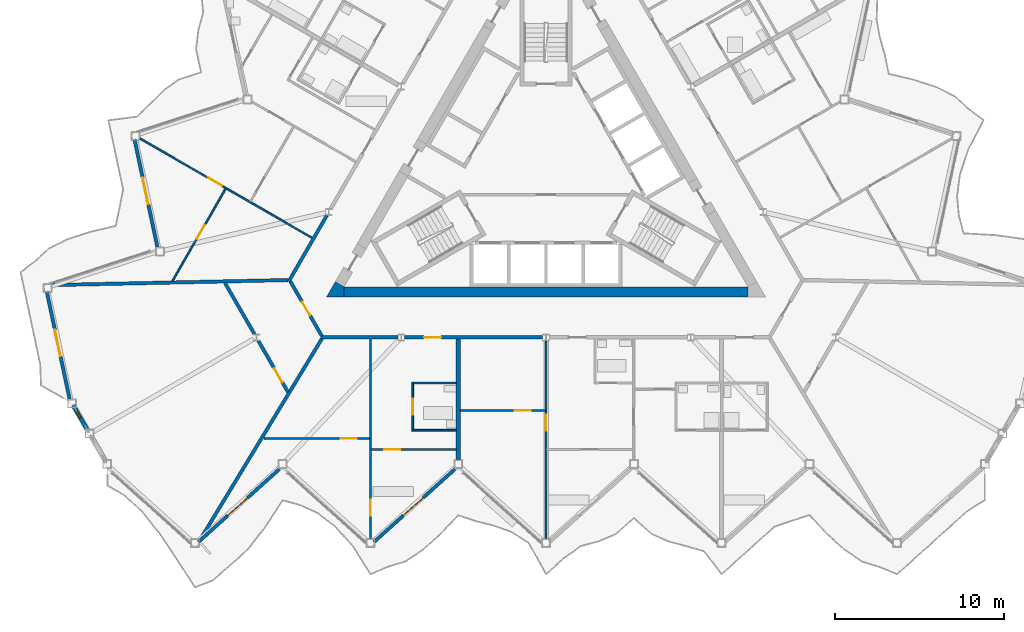
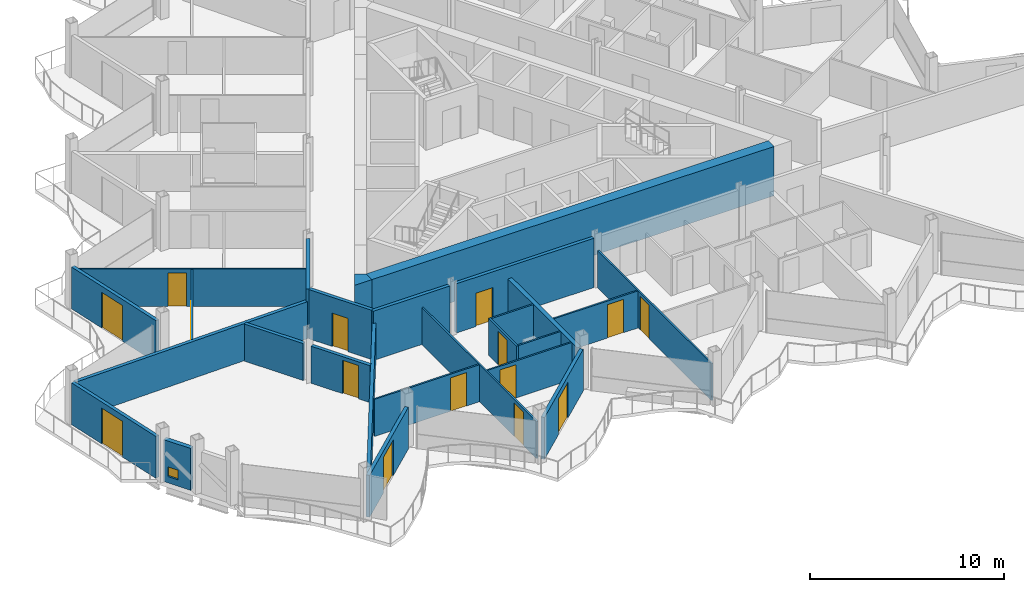
# One storey, part 12 of 25: 26 walls, 15 doors, 1 window, 16 openings.
"""IFC4 building model written with IfcOpenShell, lengths in metres."""

from ifc_helpers import new_model, si_unit, direction, frame, frame_2d, origin, place, context, subcontext, project, spatial, polyline, rectangle, outline, extrude, material, layer, layer_set, type_object, element, fill, save


model = new_model("IFC4")

# Units and contexts
model_context = context("Model", 3, precision=1e-05, world=origin(), true_north=direction((0.0, 1.0)))
body_context = subcontext(model_context, "Body", "Model", "MODEL_VIEW")
ifc_project = project(units=[si_unit("LENGTHUNIT", "METRE"), si_unit("AREAUNIT", "SQUARE_METRE"), si_unit("VOLUMEUNIT", "CUBIC_METRE"), si_unit("PLANEANGLEUNIT", "RADIAN"), si_unit("MASSUNIT", "GRAM", prefix="KILO")], contexts=[model_context])

# Site, building, storey
site_placement = place(None, origin())
site = spatial("IfcSite", under=ifc_project, at=site_placement, CompositionType="ELEMENT")
building_placement = place(site_placement, origin())
building = spatial("IfcBuilding", under=site, at=building_placement, Name="Cormorant Prow Tower", CompositionType="ELEMENT")
storey_placement = place(building_placement, frame((0.0, 0.0, 391.60009765625)))
storey = spatial("IfcBuildingStorey", under=building, at=storey_placement, Name="L89", CompositionType="ELEMENT", Elevation=391.60009765625)

# Walls
ifc_material_1 = material(Name="Concrete 8000 psi", Category="concrete")
ifc_layer_1 = layer(ifc_material_1, 0.60009765625)
ifc_layer_set_1 = layer_set([ifc_layer_1], Name="Concrete 8000 psi")
wall_type_1 = type_object("IfcWallType", Name="Core shear wall 600", PredefinedType="SHEAR", material=ifc_layer_set_1)
wall_1_placement = place(storey_placement, frame((-11.960693359375, -7.20556640625, 0.0), z_axis=(0.0, 0.0, 1.0), x_axis=(1.0, 0.0, 0.0)))
element("IfcWall", 1, at=wall_1_placement, inside=storey, type_object=wall_type_1, Name="Core wall", PredefinedType="SHEAR", context=body_context, shape_type="SweptSolid", body=[
    extrude(rectangle(XDim=23.92138671875, YDim=0.60009765625, at=frame_2d((11.960693359375, 0.0))), origin(), (0.0, 0.0, 1.0), 3.099853515625),
])
wall_2_placement = place(storey_placement, origin())
element("IfcWall", 2, at=wall_2_placement, inside=storey, type_object=wall_type_1, Name="Core wall corner", PredefinedType="SHEAR", context=body_context, shape_type="SweptSolid", body=[
    extrude(outline(polyline([(-12.48046875, -6.605712890625), (-11.960693359375, -6.905517578125), (-11.960693359375, -7.505615234375), (-13.0, -7.505615234375), (-12.48046875, -6.605712890625)])), origin(), (0.0, 0.0, 1.0), 3.099853515625),
])

# Wall, opening, door
ifc_material_2 = material(Name="Gypsum board corridor wall")
ifc_layer_2 = layer(ifc_material_2, 0.199951171875)
ifc_layer_set_2 = layer_set([ifc_layer_2], Name="Gypsum board corridor wall")
wall_type_2 = type_object("IfcWallType", Name="Corridor wall 200", PredefinedType="PARTITIONING", material=ifc_layer_set_2)
wall_3_placement = place(storey_placement, frame((-8.381591796875, -9.905517578125, 0.0), z_axis=(0.0, 0.0, 1.0), x_axis=(1.0, 0.0, 0.0)))
wall_3 = element("IfcWall", 3, at=wall_3_placement, inside=storey, type_object=wall_type_2, Name="Corridor wall", PredefinedType="PARTITIONING", context=body_context, shape_type="SweptSolid", body=[
    extrude(rectangle(XDim=8.1845703125, YDim=0.199951171875, at=frame_2d((4.09228515625, 0.0))), origin(), (0.0, 0.0, 1.0), 3.099853515625),
])
opening_1_placement = place(wall_3_placement, frame((1.16162109375, 0.0, 0.0)))
opening_1 = element("IfcOpeningElement", 4, at=opening_1_placement, cuts=wall_3, Name="Opening L89-F01", PredefinedType="OPENING", context=body_context, shape_type="SweptSolid", body=[
    extrude(rectangle(XDim=1.0, YDim=2.10009765625, at=frame_2d((0.5, 1.050048828125))), frame((0.0, 0.10986328125, 0.0), z_axis=(0.0, -1.0, 0.0), x_axis=(1.0, 0.0, 0.0)), (0.0, 0.0, 1.0), 0.219970703125),
])
ifc_material_3 = material(Name="Timber door leaf", Category="wood")
door_type_1 = type_object("IfcDoorType", Name="Flat or room entrance door 1000x2100", OperationType="NOTDEFINED", PredefinedType="DOOR", material=ifc_material_3)
door_1_placement = place(opening_1_placement, origin())
door_1 = element("IfcDoor", 5, at=door_1_placement, inside=storey, type_object=door_type_1, Name="Living room door", OperationType="SINGLE_SWING_RIGHT", OverallHeight=2.10009765625, OverallWidth=1.0, PredefinedType="DOOR", context=body_context, shape_type="SweptSolid", body=[
    extrude(rectangle(XDim=1.0, YDim=2.10009765625, at=frame_2d((0.5, 1.050048828125))), frame((0.0, 0.02490234375, 0.0), z_axis=(0.0, -1.0, 0.0), x_axis=(1.0, 0.0, 0.0)), (0.0, 0.0, 1.0), 0.050048828125),
])
fill(opening_1, door_1)

# Walls
wall_4_placement = place(storey_placement, frame((-13.330810546875, -9.905517578125, 0.0), z_axis=(0.0, 0.0, 1.0), x_axis=(1.0, 0.0, 0.0)))
element("IfcWall", 6, at=wall_4_placement, inside=storey, type_object=wall_type_2, Name="Corridor wall", PredefinedType="PARTITIONING", context=body_context, shape_type="SweptSolid", body=[
    extrude(rectangle(XDim=4.555419921875, YDim=0.199951171875, at=frame_2d((2.27783203125, 0.0))), origin(), (0.0, 0.0, 1.0), 3.099853515625),
])
wall_5_placement = place(storey_placement, frame((-15.243896484375, -6.59228515625, 0.0), z_axis=(0.0, 0.0, 1.0), x_axis=(0.499974648164, 0.866040040179, 0.0)))
element("IfcWall", 7, at=wall_5_placement, inside=storey, type_object=wall_type_2, Name="Corridor wall", PredefinedType="PARTITIONING", context=body_context, shape_type="SweptSolid", body=[
    extrude(rectangle(XDim=4.525146484375, YDim=0.199951171875, at=frame_2d((2.2626953125, 0.0))), origin(), (0.0, 0.0, 1.0), 3.099853515625),
])

# Wall, opening, door
wall_6_placement = place(storey_placement, frame((-15.143798828125, -6.59228515625, 0.0), z_axis=(0.0, 0.0, 1.0), x_axis=(0.499958791762, -0.866049194065, 0.0)))
wall_6 = element("IfcWall", 8, at=wall_6_placement, inside=storey, type_object=wall_type_2, Name="Corridor wall", PredefinedType="PARTITIONING", context=body_context, shape_type="SweptSolid", body=[
    extrude(rectangle(XDim=3.725830078125, YDim=0.199951171875, at=frame_2d((1.86279296875, 0.0))), origin(), (0.0, 0.0, 1.0), 3.099853515625),
])
opening_2_placement = place(wall_6_placement, frame((1.387939453125, 0.0, 0.0)))
opening_2 = element("IfcOpeningElement", 9, at=opening_2_placement, cuts=wall_6, Name="Opening L89-F50", PredefinedType="OPENING", context=body_context, shape_type="SweptSolid", body=[
    extrude(rectangle(XDim=0.949951171875, YDim=2.10009765625, at=frame_2d((0.47509765625, 1.050048828125))), frame((0.0, 0.10986328125, 0.0), z_axis=(0.0, -1.0, 0.0), x_axis=(1.0, 0.0, 0.0)), (0.0, 0.0, 1.0), 0.219970703125),
])
ifc_material_4 = material(Name="Timber door leaf", Category="wood")
door_type_2 = type_object("IfcDoorType", Name="Store door 950x2100", OperationType="NOTDEFINED", PredefinedType="DOOR", material=ifc_material_4)
door_2_placement = place(opening_2_placement, origin())
door_2 = element("IfcDoor", 10, at=door_2_placement, inside=storey, type_object=door_type_2, Name="Refuse room door", OperationType="SINGLE_SWING_LEFT", OverallHeight=2.10009765625, OverallWidth=0.949951171875, PredefinedType="DOOR", context=body_context, shape_type="SweptSolid", body=[
    extrude(rectangle(XDim=0.949951171875, YDim=2.10009765625, at=frame_2d((0.47509765625, 1.050048828125))), frame((0.0, 0.02490234375, 0.0), z_axis=(0.0, -1.0, 0.0), x_axis=(1.0, 0.0, 0.0)), (0.0, 0.0, 1.0), 0.050048828125),
])
fill(opening_2, door_2)

# Walls
ifc_material_5 = material(Name="Gypsum board demising wall")
ifc_layer_3 = layer(ifc_material_5, 0.199951171875)
ifc_layer_set_3 = layer_set([ifc_layer_3], Name="Gypsum board demising wall")
wall_type_3 = type_object("IfcWallType", Name="Demising wall 200", PredefinedType="PARTITIONING", material=ifc_layer_set_3)
wall_7_placement = place(storey_placement, frame((-20.353515625, -21.659912109375, 0.0), z_axis=(0.0, 0.0, 1.0), x_axis=(0.518240642668, 0.85523484277, 0.0)))
element("IfcWall", 11, at=wall_7_placement, inside=storey, type_object=wall_type_3, Name="Demising wall", PredefinedType="PARTITIONING", context=body_context, shape_type="SweptSolid", body=[
    extrude(rectangle(XDim=13.643798828125, YDim=0.199951171875, at=frame_2d((6.82177734375, 0.0))), origin(), (0.0, 0.0, 1.0), 2.330078125),
])
wall_8_placement = place(storey_placement, frame((-29.2685546875, -6.8037109375, 0.0), z_axis=(0.0, 0.0, 1.0), x_axis=(0.999775536303, 0.021186717777, 0.0)))
element("IfcWall", 12, at=wall_8_placement, inside=storey, type_object=wall_type_3, Name="Demising wall", PredefinedType="PARTITIONING", context=body_context, shape_type="SweptSolid", body=[
    extrude(rectangle(XDim=13.977783203125, YDim=0.199951171875, at=frame_2d((6.98876953125, 0.0))), origin(), (0.0, 0.0, 1.0), 2.330078125),
])

# Wall, opening, door
wall_9_placement = place(storey_placement, frame((-17.043212890625, -10.1025390625, 0.0), z_axis=(0.0, 0.0, 1.0), x_axis=(0.500005931509, -0.866021979199, 0.0)))
wall_9 = element("IfcWall", 13, at=wall_9_placement, inside=storey, type_object=wall_type_3, Name="Demising wall", PredefinedType="PARTITIONING", context=body_context, shape_type="SweptSolid", body=[
    extrude(rectangle(XDim=3.50390625, YDim=0.199951171875, at=frame_2d((1.751953125, 0.0))), origin(), (0.0, 0.0, 1.0), 2.330078125),
])
opening_3_placement = place(wall_9_placement, frame((1.89306640625, 0.0, 0.0)))
opening_3 = element("IfcOpeningElement", 14, at=opening_3_placement, cuts=wall_9, Name="Opening L89-F51", PredefinedType="OPENING", context=body_context, shape_type="SweptSolid", body=[
    extrude(rectangle(XDim=0.949951171875, YDim=2.10009765625, at=frame_2d((0.47509765625, 1.050048828125))), frame((0.0, 0.10986328125, 0.0), z_axis=(0.0, -1.0, 0.0), x_axis=(1.0, 0.0, 0.0)), (0.0, 0.0, 1.0), 0.219970703125),
])
door_3_placement = place(opening_3_placement, origin())
door_3 = element("IfcDoor", 15, at=door_3_placement, inside=storey, type_object=door_type_2, Name="Bicycle store door", OperationType="SINGLE_SWING_RIGHT", OverallHeight=2.10009765625, OverallWidth=0.949951171875, PredefinedType="DOOR", context=body_context, shape_type="SweptSolid", body=[
    extrude(rectangle(XDim=0.949951171875, YDim=2.10009765625, at=frame_2d((0.47509765625, 1.050048828125))), frame((0.0, 0.02490234375, 0.0), z_axis=(0.0, -1.0, 0.0), x_axis=(1.0, 0.0, 0.0)), (0.0, 0.0, 1.0), 0.050048828125),
])
fill(opening_3, door_3)

# Wall
wall_10_placement = place(storey_placement, frame((-19.0224609375, -6.67431640625, 0.0), z_axis=(0.0, 0.0, 1.0), x_axis=(0.499983843005, -0.866034731829, 0.0)))
element("IfcWall", 16, at=wall_10_placement, inside=storey, type_object=wall_type_3, Name="Demising wall", PredefinedType="PARTITIONING", context=body_context, shape_type="SweptSolid", body=[
    extrude(rectangle(XDim=3.50341796875, YDim=0.199951171875, at=frame_2d((1.751708984375, 0.0))), origin(), (0.0, 0.0, 1.0), 2.330078125),
])

# Wall, opening, door
ifc_material_6 = material(Name="Gypsum board partition")
ifc_layer_4 = layer(ifc_material_6, 0.10009765625)
ifc_layer_set_4 = layer_set([ifc_layer_4], Name="Gypsum board partition")
wall_type_4 = type_object("IfcWallType", Name="Internal partition 100", PredefinedType="PARTITIONING", material=ifc_layer_set_4)
wall_11_placement = place(storey_placement, frame((-10.39990234375, -21.827880859375, 0.0), z_axis=(0.0, 0.0, 1.0), x_axis=(0.0, 1.0, 0.0)))
wall_11 = element("IfcWall", 17, at=wall_11_placement, inside=storey, type_object=wall_type_4, Name="Internal partition", PredefinedType="PARTITIONING", context=body_context, shape_type="SweptSolid", body=[
    extrude(rectangle(XDim=11.822265625, YDim=0.10009765625, at=frame_2d((5.9111328125, 0.0))), origin(), (0.0, 0.0, 1.0), 2.330078125),
])
opening_4_placement = place(wall_11_placement, frame((1.357666015625, 0.0, 0.0)))
opening_4 = element("IfcOpeningElement", 18, at=opening_4_placement, cuts=wall_11, Name="Opening L89-F04", PredefinedType="OPENING", context=body_context, shape_type="SweptSolid", body=[
    extrude(rectangle(XDim=0.949951171875, YDim=2.10009765625, at=frame_2d((0.47509765625, 1.050048828125))), frame((0.0, 0.06005859375, 0.0), z_axis=(0.0, -1.0, 0.0), x_axis=(1.0, 0.0, 0.0)), (0.0, 0.0, 1.0), 0.1201171875),
])
ifc_material_7 = material(Name="Timber door leaf", Category="wood")
door_type_3 = type_object("IfcDoorType", Name="Bathroom door 950x2100", OperationType="NOTDEFINED", PredefinedType="DOOR", material=ifc_material_7)
door_4_placement = place(opening_4_placement, origin())
door_4 = element("IfcDoor", 19, at=door_4_placement, inside=storey, type_object=door_type_3, Name="Kitchen door", OperationType="SINGLE_SWING_LEFT", OverallHeight=2.10009765625, OverallWidth=0.949951171875, PredefinedType="DOOR", context=body_context, shape_type="SweptSolid", body=[
    extrude(rectangle(XDim=0.949951171875, YDim=2.10009765625, at=frame_2d((0.47509765625, 1.050048828125))), frame((0.0, 0.02490234375, 0.0), z_axis=(0.0, -1.0, 0.0), x_axis=(1.0, 0.0, 0.0)), (0.0, 0.0, 1.0), 0.050048828125),
])
fill(opening_4, door_4)

wall_12_placement = place(storey_placement, frame((-24.068603515625, 1.88720703125, 0.0), z_axis=(0.0, 0.0, 1.0), x_axis=(0.866023404247, -0.500003463284, 0.0)))
wall_12 = element("IfcWall", 20, at=wall_12_placement, inside=storey, type_object=wall_type_4, Name="Internal partition", PredefinedType="PARTITIONING", context=body_context, shape_type="SweptSolid", body=[
    extrude(rectangle(XDim=11.7822265625, YDim=0.10009765625, at=frame_2d((5.89111328125, 0.0))), origin(), (0.0, 0.0, 1.0), 2.330078125),
])
opening_5_placement = place(wall_12_placement, frame((4.66357421875, 0.0, 0.0)))
opening_5 = element("IfcOpeningElement", 21, at=opening_5_placement, cuts=wall_12, Name="Opening L89-F47", PredefinedType="OPENING", context=body_context, shape_type="SweptSolid", body=[
    extrude(rectangle(XDim=0.949951171875, YDim=2.10009765625, at=frame_2d((0.47509765625, 1.050048828125))), frame((0.0, 0.06005859375, 0.0), z_axis=(0.0, -1.0, 0.0), x_axis=(1.0, 0.0, 0.0)), (0.0, 0.0, 1.0), 0.1201171875),
])
door_5_placement = place(opening_5_placement, origin())
door_5 = element("IfcDoor", 22, at=door_5_placement, inside=storey, type_object=door_type_3, Name="Bedroom door", OperationType="SINGLE_SWING_RIGHT", OverallHeight=2.10009765625, OverallWidth=0.949951171875, PredefinedType="DOOR", context=body_context, shape_type="SweptSolid", body=[
    extrude(rectangle(XDim=0.949951171875, YDim=2.10009765625, at=frame_2d((0.47509765625, 1.050048828125))), frame((0.0, 0.02490234375, 0.0), z_axis=(0.0, -1.0, 0.0), x_axis=(1.0, 0.0, 0.0)), (0.0, 0.0, 1.0), 0.050048828125),
])
fill(opening_5, door_5)

wall_13_placement = place(storey_placement, frame((0.0, -21.827880859375, 0.0), z_axis=(0.0, 0.0, 1.0), x_axis=(0.0, 1.0, 0.0)))
wall_13 = element("IfcWall", 23, at=wall_13_placement, inside=storey, type_object=wall_type_4, Name="Internal partition", PredefinedType="PARTITIONING", context=body_context, shape_type="SweptSolid", body=[
    extrude(rectangle(XDim=11.725341796875, YDim=0.10009765625, at=frame_2d((5.86279296875, 0.0))), origin(), (0.0, 0.0, 1.0), 2.330078125),
])
opening_6_placement = place(wall_13_placement, frame((6.39501953125, 0.0, 0.0)))
opening_6 = element("IfcOpeningElement", 24, at=opening_6_placement, cuts=wall_13, Name="Opening L89-F09", PredefinedType="OPENING", context=body_context, shape_type="SweptSolid", body=[
    extrude(rectangle(XDim=0.949951171875, YDim=2.10009765625, at=frame_2d((0.47509765625, 1.050048828125))), frame((0.0, 0.06005859375, 0.0), z_axis=(0.0, -1.0, 0.0), x_axis=(1.0, 0.0, 0.0)), (0.0, 0.0, 1.0), 0.1201171875),
])
door_6_placement = place(opening_6_placement, origin())
door_6 = element("IfcDoor", 25, at=door_6_placement, inside=storey, type_object=door_type_3, Name="Living room door", OperationType="SINGLE_SWING_RIGHT", OverallHeight=2.10009765625, OverallWidth=0.949951171875, PredefinedType="DOOR", context=body_context, shape_type="SweptSolid", body=[
    extrude(rectangle(XDim=0.949951171875, YDim=2.10009765625, at=frame_2d((0.47509765625, 1.050048828125))), frame((0.0, 0.02490234375, 0.0), z_axis=(0.0, -1.0, 0.0), x_axis=(1.0, 0.0, 0.0)), (0.0, 0.0, 1.0), 0.050048828125),
])
fill(opening_6, door_6)

wall_14_placement = place(storey_placement, frame((-22.135986328125, -6.56689453125, 0.0), z_axis=(0.0, 0.0, 1.0), x_axis=(0.500016298831, 0.866015993445, 0.0)))
wall_14 = element("IfcWall", 26, at=wall_14_placement, inside=storey, type_object=wall_type_4, Name="Internal partition", PredefinedType="PARTITIONING", context=body_context, shape_type="SweptSolid", body=[
    extrude(rectangle(XDim=6.304931640625, YDim=0.10009765625, at=frame_2d((3.15234375, 0.0))), origin(), (0.0, 0.0, 1.0), 2.330078125),
])
opening_7_placement = place(wall_14_placement, frame((2.8798828125, 0.0, 0.0)))
opening_7 = element("IfcOpeningElement", 27, at=opening_7_placement, cuts=wall_14, Name="Opening L89-F48", PredefinedType="OPENING", context=body_context, shape_type="SweptSolid", body=[
    extrude(rectangle(XDim=0.949951171875, YDim=2.10009765625, at=frame_2d((0.47509765625, 1.050048828125))), frame((0.0, 0.06005859375, 0.0), z_axis=(0.0, -1.0, 0.0), x_axis=(1.0, 0.0, 0.0)), (0.0, 0.0, 1.0), 0.1201171875),
])
door_7_placement = place(opening_7_placement, origin())
door_7 = element("IfcDoor", 28, at=door_7_placement, inside=storey, type_object=door_type_3, Name="Bedroom door", OperationType="SINGLE_SWING_RIGHT", OverallHeight=2.10009765625, OverallWidth=0.949951171875, PredefinedType="DOOR", context=body_context, shape_type="SweptSolid", body=[
    extrude(rectangle(XDim=0.949951171875, YDim=2.10009765625, at=frame_2d((0.47509765625, 1.050048828125))), frame((0.0, 0.02490234375, 0.0), z_axis=(0.0, -1.0, 0.0), x_axis=(1.0, 0.0, 0.0)), (0.0, 0.0, 1.0), 0.050048828125),
])
fill(opening_7, door_7)

wall_15_placement = place(storey_placement, frame((-16.685302734375, -15.888671875, 0.0), z_axis=(0.0, 0.0, 1.0), x_axis=(1.0, 0.0, 0.0)))
wall_15 = element("IfcWall", 29, at=wall_15_placement, inside=storey, type_object=wall_type_4, Name="Internal partition", PredefinedType="PARTITIONING", context=body_context, shape_type="SweptSolid", body=[
    extrude(rectangle(XDim=6.2353515625, YDim=0.10009765625, at=frame_2d((3.11767578125, 0.0))), origin(), (0.0, 0.0, 1.0), 2.330078125),
])
opening_8_placement = place(wall_15_placement, frame((4.5263671875, 0.0, 0.0)))
opening_8 = element("IfcOpeningElement", 30, at=opening_8_placement, cuts=wall_15, Name="Opening L89-F05", PredefinedType="OPENING", context=body_context, shape_type="SweptSolid", body=[
    extrude(rectangle(XDim=0.949951171875, YDim=2.10009765625, at=frame_2d((0.47509765625, 1.050048828125))), frame((0.0, 0.06005859375, 0.0), z_axis=(0.0, -1.0, 0.0), x_axis=(1.0, 0.0, 0.0)), (0.0, 0.0, 1.0), 0.1201171875),
])
door_8_placement = place(opening_8_placement, origin())
door_8 = element("IfcDoor", 31, at=door_8_placement, inside=storey, type_object=door_type_3, Name="Bedroom door", OperationType="SINGLE_SWING_RIGHT", OverallHeight=2.10009765625, OverallWidth=0.949951171875, PredefinedType="DOOR", context=body_context, shape_type="SweptSolid", body=[
    extrude(rectangle(XDim=0.949951171875, YDim=2.10009765625, at=frame_2d((0.47509765625, 1.050048828125))), frame((0.0, 0.02490234375, 0.0), z_axis=(0.0, -1.0, 0.0), x_axis=(1.0, 0.0, 0.0)), (0.0, 0.0, 1.0), 0.050048828125),
])
fill(opening_8, door_8)

wall_16_placement = place(storey_placement, frame((-10.35009765625, -16.544189453125, 0.0), z_axis=(0.0, 0.0, 1.0), x_axis=(1.0, 0.0, 0.0)))
wall_16 = element("IfcWall", 32, at=wall_16_placement, inside=storey, type_object=wall_type_4, Name="Internal partition", PredefinedType="PARTITIONING", context=body_context, shape_type="SweptSolid", body=[
    extrude(rectangle(XDim=5.025146484375, YDim=0.10009765625, at=frame_2d((2.5126953125, 0.0))), origin(), (0.0, 0.0, 1.0), 2.330078125),
])
opening_9_placement = place(wall_16_placement, frame((0.7607421875, 0.0, 0.0)))
opening_9 = element("IfcOpeningElement", 33, at=opening_9_placement, cuts=wall_16, Name="Opening L89-F03", PredefinedType="OPENING", context=body_context, shape_type="SweptSolid", body=[
    extrude(rectangle(XDim=0.949951171875, YDim=2.10009765625, at=frame_2d((0.47509765625, 1.050048828125))), frame((0.0, 0.06005859375, 0.0), z_axis=(0.0, -1.0, 0.0), x_axis=(1.0, 0.0, 0.0)), (0.0, 0.0, 1.0), 0.1201171875),
])
door_9_placement = place(opening_9_placement, origin())
door_9 = element("IfcDoor", 34, at=door_9_placement, inside=storey, type_object=door_type_3, Name="Living room door", OperationType="SINGLE_SWING_LEFT", OverallHeight=2.10009765625, OverallWidth=0.949951171875, PredefinedType="DOOR", context=body_context, shape_type="SweptSolid", body=[
    extrude(rectangle(XDim=0.949951171875, YDim=2.10009765625, at=frame_2d((0.47509765625, 1.050048828125))), frame((0.0, 0.02490234375, 0.0), z_axis=(0.0, -1.0, 0.0), x_axis=(1.0, 0.0, 0.0)), (0.0, 0.0, 1.0), 0.050048828125),
])
fill(opening_9, door_9)

wall_17_placement = place(storey_placement, frame((-5.074951171875, -14.236572265625, 0.0), z_axis=(0.0, 0.0, 1.0), x_axis=(1.0, 0.0, 0.0)))
wall_17 = element("IfcWall", 35, at=wall_17_placement, inside=storey, type_object=wall_type_4, Name="Internal partition", PredefinedType="PARTITIONING", context=body_context, shape_type="SweptSolid", body=[
    extrude(rectangle(XDim=5.02490234375, YDim=0.10009765625, at=frame_2d((2.512451171875, 0.0))), origin(), (0.0, 0.0, 1.0), 2.330078125),
])
opening_10_placement = place(wall_17_placement, frame((3.212158203125, 0.0, 0.0)))
opening_10 = element("IfcOpeningElement", 36, at=opening_10_placement, cuts=wall_17, Name="Opening L89-F10", PredefinedType="OPENING", context=body_context, shape_type="SweptSolid", body=[
    extrude(rectangle(XDim=0.949951171875, YDim=2.10009765625, at=frame_2d((0.47509765625, 1.050048828125))), frame((0.0, 0.06005859375, 0.0), z_axis=(0.0, -1.0, 0.0), x_axis=(1.0, 0.0, 0.0)), (0.0, 0.0, 1.0), 0.1201171875),
])
door_10_placement = place(opening_10_placement, origin())
door_10 = element("IfcDoor", 37, at=door_10_placement, inside=storey, type_object=door_type_3, Name="Bedroom door", OperationType="SINGLE_SWING_RIGHT", OverallHeight=2.10009765625, OverallWidth=0.949951171875, PredefinedType="DOOR", context=body_context, shape_type="SweptSolid", body=[
    extrude(rectangle(XDim=0.949951171875, YDim=2.10009765625, at=frame_2d((0.47509765625, 1.050048828125))), frame((0.0, 0.02490234375, 0.0), z_axis=(0.0, -1.0, 0.0), x_axis=(1.0, 0.0, 0.0)), (0.0, 0.0, 1.0), 0.050048828125),
])
fill(opening_10, door_10)

wall_18_placement = place(storey_placement, frame((-7.89990234375, -15.45556640625, 0.0), z_axis=(0.0, 0.0, 1.0), x_axis=(0.0, 1.0, 0.0)))
wall_18 = element("IfcWall", 38, at=wall_18_placement, inside=storey, type_object=wall_type_4, Name="Internal partition", PredefinedType="PARTITIONING", context=body_context, shape_type="SweptSolid", body=[
    extrude(rectangle(XDim=2.89990234375, YDim=0.10009765625, at=frame_2d((1.449951171875, 0.0))), origin(), (0.0, 0.0, 1.0), 2.330078125),
])
opening_11_placement = place(wall_18_placement, frame((0.97509765625, 0.0, 0.0)))
opening_11 = element("IfcOpeningElement", 39, at=opening_11_placement, cuts=wall_18, Name="Opening L89-F02", PredefinedType="OPENING", context=body_context, shape_type="SweptSolid", body=[
    extrude(rectangle(XDim=0.949951171875, YDim=2.10009765625, at=frame_2d((0.47509765625, 1.050048828125))), frame((0.0, 0.06005859375, 0.0), z_axis=(0.0, -1.0, 0.0), x_axis=(1.0, 0.0, 0.0)), (0.0, 0.0, 1.0), 0.1201171875),
])
door_11_placement = place(opening_11_placement, origin())
door_11 = element("IfcDoor", 40, at=door_11_placement, inside=storey, type_object=door_type_3, Name="Living room door", OperationType="SINGLE_SWING_RIGHT", OverallHeight=2.10009765625, OverallWidth=0.949951171875, PredefinedType="DOOR", context=body_context, shape_type="SweptSolid", body=[
    extrude(rectangle(XDim=0.949951171875, YDim=2.10009765625, at=frame_2d((0.47509765625, 1.050048828125))), frame((0.0, 0.02490234375, 0.0), z_axis=(0.0, -1.0, 0.0), x_axis=(1.0, 0.0, 0.0)), (0.0, 0.0, 1.0), 0.050048828125),
])
fill(opening_11, door_11)

# Walls
for number, where, z_axis, x_axis, name in (
    (41, (-7.85009765625, -12.605712890625, 0.0), (0.0, 0.0, 1.0), (1.0, 0.0, 0.0), "Internal partition"),
    (42, (-7.85009765625, -15.405517578125, 0.0), (0.0, 0.0, 1.0), (1.0, 0.0, 0.0), "Internal partition"),
):
    element("IfcWall", number, at=place(storey_placement, frame(where, z_axis=z_axis, x_axis=x_axis)), inside=storey, type_object=wall_type_4, Name=name, PredefinedType="PARTITIONING", context=body_context, shape_type="SweptSolid", body=[
        extrude(rectangle(XDim=2.525146484375, YDim=0.10009765625, at=frame_2d((1.2626953125, 0.0))), origin(), (0.0, 0.0, 1.0), 2.330078125),
    ])
ifc_material_8 = material(Name="Acoustic gypsum party wall")
ifc_layer_5 = layer(ifc_material_8, 0.25)
ifc_layer_set_5 = layer_set([ifc_layer_5], Name="Acoustic gypsum party wall")
wall_type_5 = type_object("IfcWallType", Name="Suite party wall 250", PredefinedType="PARTITIONING", material=ifc_layer_set_5)
wall_19_placement = place(storey_placement, frame((-5.199951171875, -17.145751953125, 0.0), z_axis=(0.0, 0.0, 1.0), x_axis=(0.0, 1.0, 0.0)))
element("IfcWall", 43, at=wall_19_placement, inside=storey, type_object=wall_type_5, Name="Suite party wall", PredefinedType="PARTITIONING", context=body_context, shape_type="SweptSolid", body=[
    extrude(rectangle(XDim=7.14013671875, YDim=0.25, at=frame_2d((3.570068359375, 0.0))), origin(), (0.0, 0.0, 1.0), 2.330078125),
])

# Wall, opening, window
ifc_material_9 = material(Name="Terracotta", Category="masonry")
ifc_layer_6 = layer(ifc_material_9, 0.25)
ifc_layer_set_6 = layer_set([ifc_layer_6], Name="Terracotta")
wall_type_6 = type_object("IfcWallType", Name="Terracotta bay wall 250", PredefinedType="SOLIDWALL", material=ifc_layer_set_6)
wall_20_placement = place(storey_placement, frame((-28.0068359375, -13.938720703125, 0.0), z_axis=(0.0, 0.0, 1.0), x_axis=(0.499967189098, -0.866044346339, 0.0)))
wall_20 = element("IfcWall", 44, at=wall_20_placement, inside=storey, type_object=wall_type_6, Name="Terracotta bay wall WSW00", PredefinedType="SOLIDWALL", context=body_context, shape_type="SweptSolid", body=[
    extrude(rectangle(XDim=1.61181640625, YDim=0.25, at=frame_2d((0.805908203125, 0.0))), origin(), (0.0, 0.0, 1.0), 2.6337890625),
])
opening_12_placement = place(wall_20_placement, frame((0.25, 0.0, 0.39990234375)))
opening_12 = element("IfcOpeningElement", 45, at=opening_12_placement, cuts=wall_20, Name="Opening WN10", PredefinedType="OPENING", context=body_context, shape_type="SweptSolid", body=[
    extrude(rectangle(XDim=0.60009765625, YDim=0.60009765625, at=frame_2d((0.300048828125, 0.300048828125))), frame((0.0, 0.135009765625, 0.0), z_axis=(0.0, -1.0, 0.0), x_axis=(1.0, 0.0, 0.0)), (0.0, 0.0, 1.0), 0.27001953125),
])
ifc_material_10 = material(Name="Aluminium 6063-T6", Category="aluminium")
window_type = type_object("IfcWindowType", Name="Corner bay window 600x600", PartitioningType="SINGLE_PANEL", PredefinedType="WINDOW", material=ifc_material_10)
window_placement = place(opening_12_placement, origin())
window = element("IfcWindow", 46, at=window_placement, inside=storey, type_object=window_type, Name="Corner bay window WSW00", OverallHeight=0.60009765625, OverallWidth=0.60009765625, PartitioningType="SINGLE_PANEL", PredefinedType="WINDOW", context=body_context, shape_type="SweptSolid", body=[
    extrude(rectangle(XDim=0.60009765625, YDim=0.60009765625, at=frame_2d((0.300048828125, 0.300048828125))), frame((0.0, 0.030029296875, 0.0), z_axis=(0.0, -1.0, 0.0), x_axis=(1.0, 0.0, 0.0)), (0.0, 0.0, 1.0), 0.06005859375),
])
fill(opening_12, window)

# Wall, opening, door
ifc_material_11 = material(Name="Terracotta", Category="masonry")
ifc_layer_7 = layer(ifc_material_11, 0.199951171875)
ifc_layer_set_7 = layer_set([ifc_layer_7], Name="Terracotta")
wall_type_7 = type_object("IfcWallType", Name="Terracotta jamb wall 200", PredefinedType="SOLIDWALL", material=ifc_layer_set_7)
wall_21_placement = place(storey_placement, frame((-20.594970703125, -22.027587890625, 0.0), z_axis=(0.0, 0.0, 1.0), x_axis=(0.743153126052, 0.669121387522, 0.0)))
wall_21 = element("IfcWall", 47, at=wall_21_placement, inside=storey, type_object=wall_type_7, Name="Terracotta jamb wall S01", PredefinedType="SOLIDWALL", context=body_context, shape_type="SweptSolid", body=[
    extrude(rectangle(XDim=6.45703125, YDim=0.199951171875, at=frame_2d((3.228515625, 0.0))), origin(), (0.0, 0.0, 1.0), 2.6337890625),
])
opening_13_placement = place(wall_21_placement, frame((2.332763671875, 0.0, 0.0)))
opening_13 = element("IfcOpeningElement", 48, at=opening_13_placement, cuts=wall_21, Name="Opening ED89.01", PredefinedType="OPENING", context=body_context, shape_type="SweptSolid", body=[
    extrude(rectangle(XDim=1.60009765625, YDim=2.25, at=frame_2d((0.800048828125, 1.125))), frame((0.0, 0.10986328125, 0.0), z_axis=(0.0, -1.0, 0.0), x_axis=(1.0, 0.0, 0.0)), (0.0, 0.0, 1.0), 0.219970703125),
])
ifc_material_12 = material(Name="Aluminium 6063-T6", Category="aluminium")
door_type_4 = type_object("IfcDoorType", Name="Balcony door 1600x2250", OperationType="DOUBLE_DOOR_SINGLE_SWING", PredefinedType="DOOR", material=ifc_material_12)
door_12_placement = place(opening_13_placement, origin())
door_12 = element("IfcDoor", 49, at=door_12_placement, inside=storey, type_object=door_type_4, Name="Balcony door S01 ED89.01", OperationType="DOUBLE_DOOR_SINGLE_SWING", OverallHeight=2.25, OverallWidth=1.60009765625, PredefinedType="DOOR", context=body_context, shape_type="SweptSolid", body=[
    extrude(rectangle(XDim=1.60009765625, YDim=2.25, at=frame_2d((0.800048828125, 1.125))), frame((0.0, 0.02490234375, 0.0), z_axis=(0.0, -1.0, 0.0), x_axis=(1.0, 0.0, 0.0)), (0.0, 0.0, 1.0), 0.050048828125),
])
fill(opening_13, door_12)

wall_22_placement = place(storey_placement, frame((-10.19482421875, -22.027587890625, 0.0), z_axis=(0.0, 0.0, 1.0), x_axis=(0.743136196971, 0.669140189162, 0.0)))
wall_22 = element("IfcWall", 50, at=wall_22_placement, inside=storey, type_object=wall_type_7, Name="Terracotta jamb wall S03", PredefinedType="SOLIDWALL", context=body_context, shape_type="SweptSolid", body=[
    extrude(rectangle(XDim=6.456787109375, YDim=0.199951171875, at=frame_2d((3.228515625, 0.0))), origin(), (0.0, 0.0, 1.0), 2.6337890625),
])
opening_14_placement = place(wall_22_placement, frame((2.332763671875, 0.0, 0.0)))
opening_14 = element("IfcOpeningElement", 51, at=opening_14_placement, cuts=wall_22, Name="Opening ED89.02", PredefinedType="OPENING", context=body_context, shape_type="SweptSolid", body=[
    extrude(rectangle(XDim=1.60009765625, YDim=2.25, at=frame_2d((0.800048828125, 1.125))), frame((0.0, 0.10986328125, 0.0), z_axis=(0.0, -1.0, 0.0), x_axis=(1.0, 0.0, 0.0)), (0.0, 0.0, 1.0), 0.219970703125),
])
door_13_placement = place(opening_14_placement, origin())
door_13 = element("IfcDoor", 52, at=door_13_placement, inside=storey, type_object=door_type_4, Name="Balcony door S03 ED89.02", OperationType="DOUBLE_DOOR_SINGLE_SWING", OverallHeight=2.25, OverallWidth=1.60009765625, PredefinedType="DOOR", context=body_context, shape_type="SweptSolid", body=[
    extrude(rectangle(XDim=1.60009765625, YDim=2.25, at=frame_2d((0.800048828125, 1.125))), frame((0.0, 0.02490234375, 0.0), z_axis=(0.0, -1.0, 0.0), x_axis=(1.0, 0.0, 0.0)), (0.0, 0.0, 1.0), 0.050048828125),
])
fill(opening_14, door_13)

wall_23_placement = place(storey_placement, frame((-24.379150390625, 1.82958984375, 0.0), z_axis=(0.0, 0.0, 1.0), x_axis=(0.207910765171, -0.978147797486, 0.0)))
wall_23 = element("IfcWall", 53, at=wall_23_placement, inside=storey, type_object=wall_type_7, Name="Terracotta jamb wall WNW07", PredefinedType="SOLIDWALL", context=body_context, shape_type="SweptSolid", body=[
    extrude(rectangle(XDim=6.512451171875, YDim=0.199951171875, at=frame_2d((3.25634765625, 0.0))), origin(), (0.0, 0.0, 1.0), 2.6337890625),
])
opening_15_placement = place(wall_23_placement, frame((2.332763671875, 0.0, 0.0)))
opening_15 = element("IfcOpeningElement", 54, at=opening_15_placement, cuts=wall_23, Name="Opening ED89.14", PredefinedType="OPENING", context=body_context, shape_type="SweptSolid", body=[
    extrude(rectangle(XDim=1.60009765625, YDim=2.25, at=frame_2d((0.800048828125, 1.125))), frame((0.0, 0.10986328125, 0.0), z_axis=(0.0, -1.0, 0.0), x_axis=(1.0, 0.0, 0.0)), (0.0, 0.0, 1.0), 0.219970703125),
])
door_14_placement = place(opening_15_placement, origin())
door_14 = element("IfcDoor", 55, at=door_14_placement, inside=storey, type_object=door_type_4, Name="Balcony door WNW07 ED89.14", OperationType="DOUBLE_DOOR_SINGLE_SWING", OverallHeight=2.25, OverallWidth=1.60009765625, PredefinedType="DOOR", context=body_context, shape_type="SweptSolid", body=[
    extrude(rectangle(XDim=1.60009765625, YDim=2.25, at=frame_2d((0.800048828125, 1.125))), frame((0.0, 0.02490234375, 0.0), z_axis=(0.0, -1.0, 0.0), x_axis=(1.0, 0.0, 0.0)), (0.0, 0.0, 1.0), 0.050048828125),
])
fill(opening_15, door_14)

wall_24_placement = place(storey_placement, frame((-29.5791015625, -7.177001953125, 0.0), z_axis=(0.0, 0.0, 1.0), x_axis=(0.207910765171, -0.978147797486, 0.0)))
wall_24 = element("IfcWall", 56, at=wall_24_placement, inside=storey, type_object=wall_type_7, Name="Terracotta jamb wall WNW09", PredefinedType="SOLIDWALL", context=body_context, shape_type="SweptSolid", body=[
    extrude(rectangle(XDim=6.512451171875, YDim=0.199951171875, at=frame_2d((3.25634765625, 0.0))), origin(), (0.0, 0.0, 1.0), 2.6337890625),
])
opening_16_placement = place(wall_24_placement, frame((2.332763671875, 0.0, 0.0)))
opening_16 = element("IfcOpeningElement", 57, at=opening_16_placement, cuts=wall_24, Name="Opening ED89.15", PredefinedType="OPENING", context=body_context, shape_type="SweptSolid", body=[
    extrude(rectangle(XDim=1.60009765625, YDim=2.25, at=frame_2d((0.800048828125, 1.125))), frame((0.0, 0.10986328125, 0.0), z_axis=(0.0, -1.0, 0.0), x_axis=(1.0, 0.0, 0.0)), (0.0, 0.0, 1.0), 0.219970703125),
])
door_15_placement = place(opening_16_placement, origin())
door_15 = element("IfcDoor", 58, at=door_15_placement, inside=storey, type_object=door_type_4, Name="Balcony door WNW09 ED89.15", OperationType="DOUBLE_DOOR_SINGLE_SWING", OverallHeight=2.25, OverallWidth=1.60009765625, PredefinedType="DOOR", context=body_context, shape_type="SweptSolid", body=[
    extrude(rectangle(XDim=1.60009765625, YDim=2.25, at=frame_2d((0.800048828125, 1.125))), frame((0.0, 0.02490234375, 0.0), z_axis=(0.0, -1.0, 0.0), x_axis=(1.0, 0.0, 0.0)), (0.0, 0.0, 1.0), 0.050048828125),
])
fill(opening_16, door_15)

save(model, "model.ifc")
